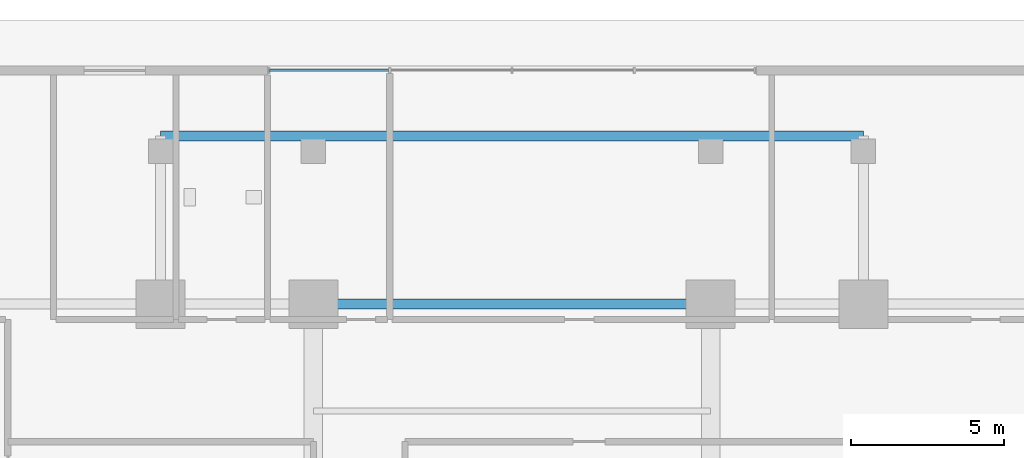
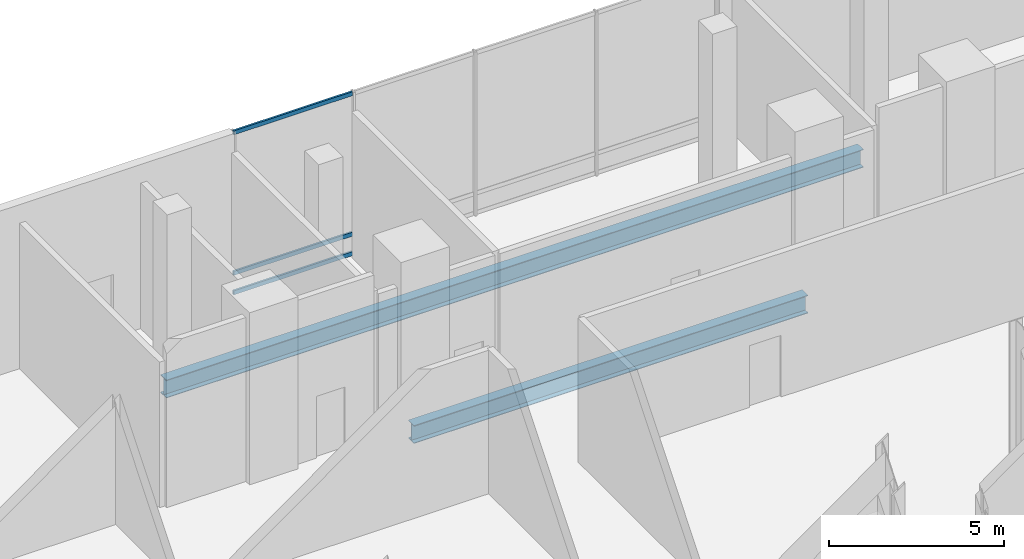
# One storey, part 15 of 34: 3 members, 2 beams, 1 element without a shape of its own.
"""IFC4 building model written with IfcOpenShell, lengths in metres."""

from ifc_helpers import new_model, si_unit, direction, frame, origin, origin_2d, place, context, subcontext, project, spatial, hollow_rectangle, i_section, extrude, material, layer, layer_set, material_profile, profile_set, type_object, element, aggregate, save


model = new_model("IFC4")

# Units and contexts
model_context = context("Model", 3, precision=1e-05, world=origin(), true_north=direction((0.0, 1.0)))
body_context = subcontext(model_context, "Body", "Model", "MODEL_VIEW")
ifc_project = project(units=[si_unit("LENGTHUNIT", "METRE"), si_unit("AREAUNIT", "SQUARE_METRE"), si_unit("VOLUMEUNIT", "CUBIC_METRE"), si_unit("PLANEANGLEUNIT", "RADIAN"), si_unit("MASSUNIT", "GRAM", prefix="KILO")], contexts=[model_context])

# Site, building, storey
site_placement = place(None, origin())
site = spatial("IfcSite", under=ifc_project, at=site_placement, CompositionType="ELEMENT")
building_placement = place(site_placement, origin())
building = spatial("IfcBuilding", under=site, at=building_placement, Name="Barlavira Tower and Art Museum", CompositionType="ELEMENT")
storey_placement = place(building_placement, origin())
storey = spatial("IfcBuildingStorey", under=building, at=storey_placement, Name="L00", CompositionType="ELEMENT", Elevation=0.0)

# Curtain wall, members
ifc_material_1 = material(Name="Low-iron coastal laminated glass", Category="glass")
ifc_layer = layer(ifc_material_1, 0.179931640625, Name="Low-iron coastal laminated glass")
ifc_layer_set = layer_set([ifc_layer], Name="Low-iron coastal laminated glass")
curtain_wall_type = type_object("IfcCurtainWallType", Name="Pale-Metal Unitised Curtain Wall Zone 1", PredefinedType="NOTDEFINED", material=ifc_layer_set)
curtain_wall_placement = place(storey_placement, origin())
curtain_wall = element("IfcCurtainWall", 1, at=curtain_wall_placement, inside=storey, type_object=curtain_wall_type, Name="L00 Curtain Wall CW1-L00-N", PredefinedType="NOTDEFINED")
ifc_material_2 = material(Name="Pale anodised aluminium", Category="aluminium")
ifc_material_profile_1 = material_profile(ifc_material_2, hollow_rectangle(XDim=0.06494140625, YDim=0.139892578125, WallThickness=0.00390625, at=origin_2d()), Name="ALU-TRAN 65x140x4")
ifc_profile_set_1 = profile_set([ifc_material_profile_1], Name="Pale anodised aluminium")
member_type = type_object("IfcMemberType", Name="Curtain Wall Pale-Metal Transom 65x140", PredefinedType="USERDEFINED", material=ifc_profile_set_1)
member_1_placement = place(storey_placement, frame((-4.044921875, 27.64990234375, 0.070068359375), z_axis=(-1.0, 0.0, 0.0), x_axis=(0.0, -1.0, 0.0)))
member_1 = element("IfcMember", 2, at=member_1_placement, type_object=member_type, Name="CW1-L00-N Transom 3.1", ObjectType="TRANSOM", PredefinedType="USERDEFINED", context=body_context, shape_type="SweptSolid", body=[
    extrude(hollow_rectangle(XDim=0.06494140625, YDim=0.139892578125, WallThickness=0.00390625, at=origin_2d()), origin(), (0.0, 0.0, 1.0), 3.91015625),
])
member_2_placement = place(storey_placement, frame((-4.044921875, 27.64990234375, 0.75), z_axis=(-1.0, 0.0, 0.0), x_axis=(0.0, -1.0, 0.0)))
member_2 = element("IfcMember", 3, at=member_2_placement, type_object=member_type, Name="CW1-L00-N Transom 3.2", ObjectType="TRANSOM", PredefinedType="USERDEFINED", context=body_context, shape_type="SweptSolid", body=[
    extrude(hollow_rectangle(XDim=0.06494140625, YDim=0.139892578125, WallThickness=0.00390625, at=origin_2d()), origin(), (0.0, 0.0, 1.0), 3.91015625),
])
member_3_placement = place(storey_placement, frame((-4.044921875, 27.64990234375, 5.64990234375), z_axis=(-1.0, 0.0, 0.0), x_axis=(0.0, -1.0, 0.0)))
member_3 = element("IfcMember", 4, at=member_3_placement, type_object=member_type, Name="CW1-L00-N Transom 3.3", ObjectType="TRANSOM", PredefinedType="USERDEFINED", context=body_context, shape_type="SweptSolid", body=[
    extrude(hollow_rectangle(XDim=0.06494140625, YDim=0.139892578125, WallThickness=0.00390625, at=origin_2d()), origin(), (0.0, 0.0, 1.0), 3.91015625),
])
aggregate(curtain_wall, [member_1, member_2, member_3])

# Beams
ifc_material_3 = material(Name="Steel S355", Category="steel")
ifc_material_profile_2 = material_profile(ifc_material_3, i_section(OverallWidth=0.327880859375, OverallDepth=0.62890625, WebThickness=0.013916015625, FlangeThickness=0.021484375, at=origin_2d()), Name="W610x174.0")
ifc_profile_set_2 = profile_set([ifc_material_profile_2], Name="Steel S355")
beam_type = type_object("IfcBeamType", Name="Perimeter Spandrel Edge Beam W610x174 Steel S355", PredefinedType="SPANDREL", material=ifc_profile_set_2)
beam_1_placement = place(storey_placement, frame((-6.5, 20.0, -0.66455078125), z_axis=(1.0, 0.0, 0.0), x_axis=(0.0, 1.0, 0.0)))
element("IfcBeam", 5, at=beam_1_placement, inside=storey, type_object=beam_type, Name="L00 Podium Spandrel PN3", PredefinedType="SPANDREL", context=body_context, shape_type="SweptSolid", body=[
    extrude(i_section(OverallWidth=0.327880859375, OverallDepth=0.62890625, WebThickness=0.013916015625, FlangeThickness=0.021484375, at=origin_2d()), origin(), (0.0, 0.0, 1.0), 13.0),
])
beam_2_placement = place(storey_placement, frame((-11.5, 25.5, -0.66455078125), z_axis=(1.0, 0.0, 0.0), x_axis=(0.0, 1.0, 0.0)))
element("IfcBeam", 6, at=beam_2_placement, inside=storey, type_object=beam_type, Name="L00 North Cascade Edge Spandrel", PredefinedType="SPANDREL", context=body_context, shape_type="SweptSolid", body=[
    extrude(i_section(OverallWidth=0.327880859375, OverallDepth=0.62890625, WebThickness=0.013916015625, FlangeThickness=0.021484375, at=origin_2d()), origin(), (0.0, 0.0, 1.0), 23.0),
])

save(model, "model.ifc")
